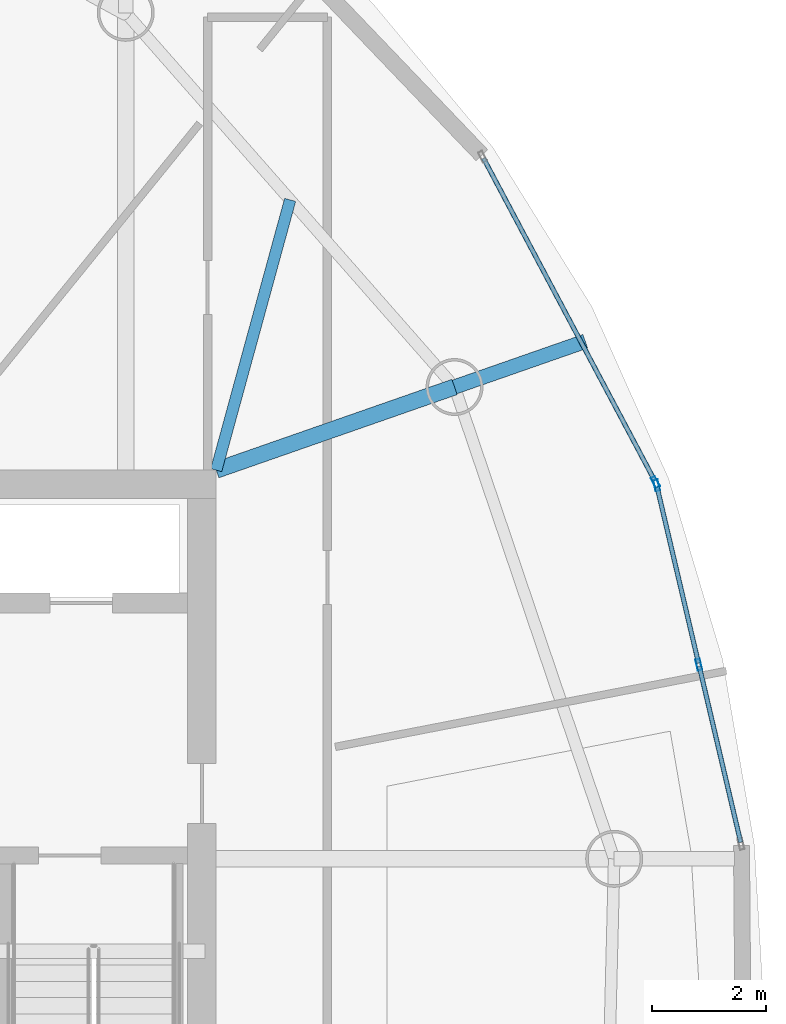
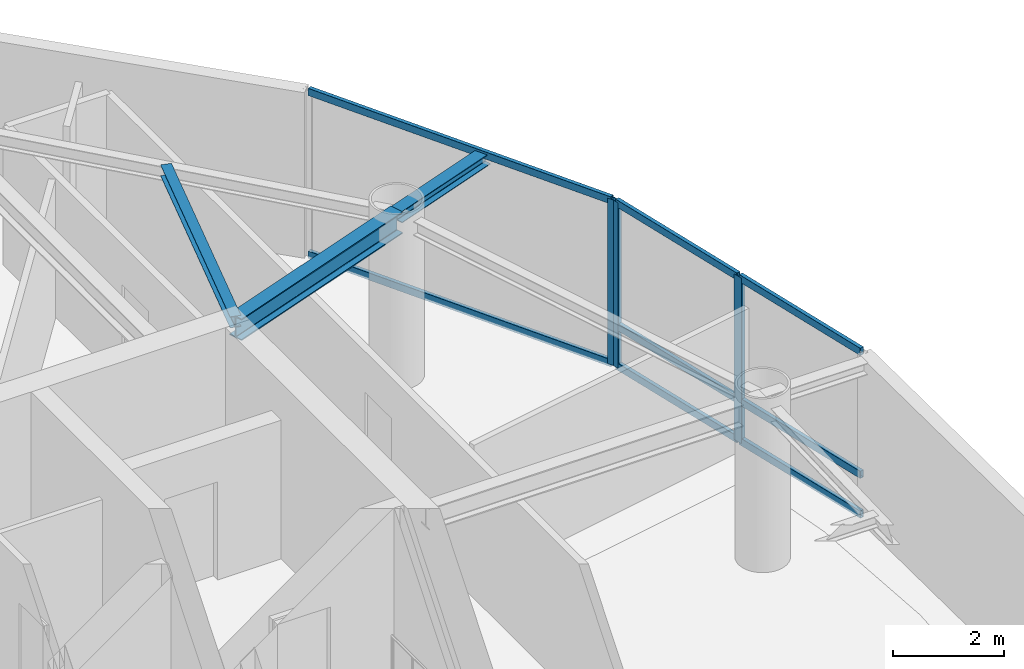
# One storey, part 10 of 21: 11 members, 3 beams, 2 elements without a shape of their own.
"""IFC4 building model written with IfcOpenShell, lengths in metres."""

from ifc_helpers import new_model, si_unit, direction, frame, origin, origin_2d, place, context, subcontext, project, spatial, hollow_rectangle, i_section, extrude, material, layer, layer_set, material_profile, profile_set, type_object, element, aggregate, save


model = new_model("IFC4")

# Units and contexts
model_context = context("Model", 3, precision=1e-05, world=origin(), true_north=direction((0.0, 1.0)))
body_context = subcontext(model_context, "Body", "Model", "MODEL_VIEW")
ifc_project = project(units=[si_unit("LENGTHUNIT", "METRE"), si_unit("AREAUNIT", "SQUARE_METRE"), si_unit("VOLUMEUNIT", "CUBIC_METRE"), si_unit("PLANEANGLEUNIT", "RADIAN"), si_unit("MASSUNIT", "GRAM", prefix="KILO")], contexts=[model_context])

# Site, building, storey
site_placement = place(None, origin())
site = spatial("IfcSite", under=ifc_project, at=site_placement, CompositionType="ELEMENT")
building_placement = place(site_placement, origin())
building = spatial("IfcBuilding", under=site, at=building_placement, Name="Bramvorn Convention Spire", CompositionType="ELEMENT")
storey_placement = place(building_placement, frame((0.0, 0.0, 249.75)))
storey = spatial("IfcBuildingStorey", under=building, at=storey_placement, Name="L63", CompositionType="ELEMENT", Elevation=249.75)

# Beams
ifc_material_1 = material(Name="Steel CSA G40.21 Grade 350 (350W)", Category="steel")
ifc_material_profile_1 = material_profile(ifc_material_1, i_section(OverallWidth=0.201904296875, OverallDepth=0.2470703125, WebThickness=0.00732421875, FlangeThickness=0.010986328125, FilletRadius=0.011962890625, at=origin_2d()))
ifc_profile_set_1 = profile_set([ifc_material_profile_1], Name="Steel CSA G40.21 Grade 350 (350W) - W250X49")
beam_type_1 = type_object("IfcBeamType", Name="BM-W250X49", PredefinedType="JOIST", material=ifc_profile_set_1)
beam_1_placement = place(storey_placement, frame((49.25, 33.449951171875, 3.50146484375), z_axis=(0.26386506219, 0.96455960363, 0.0), x_axis=(-0.96455960363, 0.26386506219, 0.0)))
element("IfcBeam", 1, at=beam_1_placement, inside=storey, type_object=beam_type_1, Name="L63 composite floor joist 05", PredefinedType="JOIST", context=body_context, shape_type="SweptSolid", body=[
    extrude(i_section(OverallWidth=0.201904296875, OverallDepth=0.2470703125, WebThickness=0.00732421875, FlangeThickness=0.010986328125, FilletRadius=0.011962890625, at=origin_2d()), origin(), (0.0, 0.0, 1.0), 4.917724609375),
])
ifc_material_profile_2 = material_profile(ifc_material_1, i_section(OverallWidth=0.25390625, OverallDepth=0.2529296875, WebThickness=0.008544921875, FlangeThickness=0.01416015625, FilletRadius=0.011962890625, at=origin_2d()))
ifc_profile_set_2 = profile_set([ifc_material_profile_2], Name="Steel CSA G40.21 Grade 350 (350W) - W250X73")
beam_type_2 = type_object("IfcBeamType", Name="BM-W250X73", PredefinedType="BEAM", material=ifc_profile_set_2)
beam_2_placement = place(storey_placement, frame((53.4326171875, 34.909912109375, 3.49853515625), z_axis=(0.944128962951, 0.329576245073, 0.0), x_axis=(-0.329576245073, 0.944128962951, 0.0)))
element("IfcBeam", 2, at=beam_2_placement, inside=storey, type_object=beam_type_2, Name="L63 slab-edge cantilever tip beam MC05", PredefinedType="BEAM", context=body_context, shape_type="SweptSolid", body=[
    extrude(i_section(OverallWidth=0.25390625, OverallDepth=0.2529296875, WebThickness=0.008544921875, FlangeThickness=0.01416015625, FilletRadius=0.011962890625, at=origin_2d()), origin(), (0.0, 0.0, 1.0), 2.430419921875),
])
ifc_material_profile_3 = material_profile(ifc_material_1, i_section(OverallWidth=0.283935546875, OverallDepth=0.47607421875, WebThickness=0.014892578125, FlangeThickness=0.02392578125, FilletRadius=0.01806640625, at=origin_2d()))
ifc_profile_set_3 = profile_set([ifc_material_profile_3], Name="Steel CSA G40.21 Grade 350 (350W) - W460X158")
beam_type_3 = type_object("IfcBeamType", Name="BM-W460X158", PredefinedType="SPANDREL", material=ifc_profile_set_3)
beam_3_placement = place(storey_placement, frame((49.25, 33.449951171875, 3.386962890625), z_axis=(0.944136391877, 0.329554962843, 0.0), x_axis=(-0.329554962843, 0.944136391877, 0.0)))
element("IfcBeam", 3, at=beam_3_placement, inside=storey, type_object=beam_type_3, Name="L63 radial floor girder MC05", PredefinedType="SPANDREL", context=body_context, shape_type="SweptSolid", body=[
    extrude(i_section(OverallWidth=0.283935546875, OverallDepth=0.47607421875, WebThickness=0.014892578125, FlangeThickness=0.02392578125, FilletRadius=0.01806640625, at=origin_2d()), origin(), (0.0, 0.0, 1.0), 4.43017578125),
])

# Curtain wall, members
ifc_material_2 = material(Name="Anodised Bronze Unitised Curtain Wall", Category="aluminium")
ifc_layer = layer(ifc_material_2, 0.179931640625)
ifc_layer_set = layer_set([ifc_layer], Name="Anodised Bronze Unitised Curtain Wall - CW-OFF-FRIT")
curtain_wall_type = type_object("IfcCurtainWallType", Name="CW-OFF-FRIT", PredefinedType="USERDEFINED", material=ifc_layer_set)
curtain_wall_1_placement = place(storey_placement, origin())
curtain_wall_1 = element("IfcCurtainWall", 4, at=curtain_wall_1_placement, inside=storey, type_object=curtain_wall_type, Name="L63 fritted glass curtain wall 05", ObjectType="UNITISED CURTAIN WALL", PredefinedType="USERDEFINED")
ifc_material_3 = material(Name="Anodised Bronze Aluminium 6063-T6", Category="aluminium")
ifc_material_profile_4 = material_profile(ifc_material_3, hollow_rectangle(XDim=0.080078125, YDim=0.199951171875, WallThickness=0.00390625, InnerFilletRadius=0.0009765625, OuterFilletRadius=0.00390625, at=origin_2d()))
ifc_profile_set_4 = profile_set([ifc_material_profile_4], Name="Anodised Bronze Aluminium 6063-T6 - CWM80X200")
member_type_1 = type_object("IfcMemberType", Name="CW-MUL-180", PredefinedType="MULLION", material=ifc_profile_set_4)
member_1_placement = place(storey_placement, frame((56.980224609375, 33.18408203125, 0.0), z_axis=(0.0, 0.0, 1.0), x_axis=(0.973407923513, 0.229078620658, 0.0)))
member_1 = element("IfcMember", 5, at=member_1_placement, type_object=member_type_1, Name="CW3 mullion 1", PredefinedType="MULLION", context=body_context, shape_type="SweptSolid", body=[
    extrude(hollow_rectangle(XDim=0.080078125, YDim=0.199951171875, WallThickness=0.00390625, InnerFilletRadius=0.0009765625, OuterFilletRadius=0.00390625, at=origin_2d()), origin(), (0.0, 0.0, 1.0), 3.625),
])
member_2_placement = place(storey_placement, frame((57.720703125, 30.036865234375, 0.0), z_axis=(0.0, 0.0, 1.0), x_axis=(0.973407923513, 0.229078620658, 0.0)))
member_2 = element("IfcMember", 6, at=member_2_placement, type_object=member_type_1, Name="CW3 mullion 2", PredefinedType="MULLION", context=body_context, shape_type="SweptSolid", body=[
    extrude(hollow_rectangle(XDim=0.080078125, YDim=0.199951171875, WallThickness=0.00390625, InnerFilletRadius=0.0009765625, OuterFilletRadius=0.00390625, at=origin_2d()), origin(), (0.0, 0.0, 1.0), 3.625),
])

# Curtain wall, member
curtain_wall_2_placement = place(storey_placement, origin())
curtain_wall_2 = element("IfcCurtainWall", 7, at=curtain_wall_2_placement, inside=storey, type_object=curtain_wall_type, Name="L63 fritted glass curtain wall 06", ObjectType="UNITISED CURTAIN WALL", PredefinedType="USERDEFINED")
member_3_placement = place(storey_placement, frame((56.959228515625, 33.23974609375, 0.0), z_axis=(0.0, 0.0, 1.0), x_axis=(0.883204373581, 0.468988309542, 0.0)))
member_3 = element("IfcMember", 8, at=member_3_placement, type_object=member_type_1, Name="CW3 mullion 2", PredefinedType="MULLION", context=body_context, shape_type="SweptSolid", body=[
    extrude(hollow_rectangle(XDim=0.080078125, YDim=0.199951171875, WallThickness=0.00390625, InnerFilletRadius=0.0009765625, OuterFilletRadius=0.00390625, at=origin_2d()), origin(), (0.0, 0.0, 1.0), 3.625),
])

# Member
ifc_material_profile_5 = material_profile(ifc_material_3, hollow_rectangle(XDim=0.080078125, YDim=0.159912109375, WallThickness=0.00390625, InnerFilletRadius=0.0009765625, OuterFilletRadius=0.00390625, at=origin_2d()))
ifc_profile_set_5 = profile_set([ifc_material_profile_5], Name="Anodised Bronze Aluminium 6063-T6 - CWT80X160")
member_type_2 = type_object("IfcMemberType", Name="CW-TRN-150", PredefinedType="USERDEFINED", material=ifc_profile_set_5)
member_4_placement = place(storey_placement, frame((56.987060546875, 33.15478515625, 0.030029296875), z_axis=(0.229060776938, -0.973412122622, 0.0), x_axis=(0.973412122622, 0.229060776938, 0.0)))
member_4 = element("IfcMember", 9, at=member_4_placement, type_object=member_type_2, Name="CW3 transom 1.1", ObjectType="TRANSOM", PredefinedType="USERDEFINED", context=body_context, shape_type="SweptSolid", body=[
    extrude(hollow_rectangle(XDim=0.080078125, YDim=0.159912109375, WallThickness=0.00390625, InnerFilletRadius=0.0009765625, OuterFilletRadius=0.00390625, at=origin_2d()), origin(), (0.0, 0.0, 1.0), 3.173095703125),
])

member_5_placement = place(storey_placement, frame((56.987060546875, 33.15478515625, 0.89990234375), z_axis=(0.229060776938, -0.973412122622, 0.0), x_axis=(0.973412122622, 0.229060776938, 0.0)))
member_5 = element("IfcMember", 10, at=member_5_placement, type_object=member_type_2, Name="CW3 transom 1.2", ObjectType="TRANSOM", PredefinedType="USERDEFINED", context=body_context, shape_type="SweptSolid", body=[
    extrude(hollow_rectangle(XDim=0.080078125, YDim=0.159912109375, WallThickness=0.00390625, InnerFilletRadius=0.0009765625, OuterFilletRadius=0.00390625, at=origin_2d()), origin(), (0.0, 0.0, 1.0), 3.173095703125),
])

member_6_placement = place(storey_placement, frame((56.987060546875, 33.15478515625, 3.594970703125), z_axis=(0.229060776938, -0.973412122622, 0.0), x_axis=(0.973412122622, 0.229060776938, 0.0)))
member_6 = element("IfcMember", 11, at=member_6_placement, type_object=member_type_2, Name="CW3 transom 1.3", ObjectType="TRANSOM", PredefinedType="USERDEFINED", context=body_context, shape_type="SweptSolid", body=[
    extrude(hollow_rectangle(XDim=0.080078125, YDim=0.159912109375, WallThickness=0.00390625, InnerFilletRadius=0.0009765625, OuterFilletRadius=0.00390625, at=origin_2d()), origin(), (0.0, 0.0, 1.0), 3.173095703125),
])

member_7_placement = place(storey_placement, frame((57.727783203125, 30.0078125, 0.030029296875), z_axis=(0.229043622056, -0.973416159305, 0.0), x_axis=(0.973416159305, 0.229043622056, 0.0)))
member_7 = element("IfcMember", 12, at=member_7_placement, type_object=member_type_2, Name="CW3 transom 2.1", ObjectType="TRANSOM", PredefinedType="USERDEFINED", context=body_context, shape_type="SweptSolid", body=[
    extrude(hollow_rectangle(XDim=0.080078125, YDim=0.159912109375, WallThickness=0.00390625, InnerFilletRadius=0.0009765625, OuterFilletRadius=0.00390625, at=origin_2d()), origin(), (0.0, 0.0, 1.0), 3.17333984375),
])

member_8_placement = place(storey_placement, frame((57.727783203125, 30.0078125, 0.89990234375), z_axis=(0.229043622056, -0.973416159305, 0.0), x_axis=(0.973416159305, 0.229043622056, 0.0)))
member_8 = element("IfcMember", 13, at=member_8_placement, type_object=member_type_2, Name="CW3 transom 2.2", ObjectType="TRANSOM", PredefinedType="USERDEFINED", context=body_context, shape_type="SweptSolid", body=[
    extrude(hollow_rectangle(XDim=0.080078125, YDim=0.159912109375, WallThickness=0.00390625, InnerFilletRadius=0.0009765625, OuterFilletRadius=0.00390625, at=origin_2d()), origin(), (0.0, 0.0, 1.0), 3.17333984375),
])

member_9_placement = place(storey_placement, frame((57.727783203125, 30.0078125, 3.594970703125), z_axis=(0.229043622056, -0.973416159305, 0.0), x_axis=(0.973416159305, 0.229043622056, 0.0)))
member_9 = element("IfcMember", 14, at=member_9_placement, type_object=member_type_2, Name="CW3 transom 2.3", ObjectType="TRANSOM", PredefinedType="USERDEFINED", context=body_context, shape_type="SweptSolid", body=[
    extrude(hollow_rectangle(XDim=0.080078125, YDim=0.159912109375, WallThickness=0.00390625, InnerFilletRadius=0.0009765625, OuterFilletRadius=0.00390625, at=origin_2d()), origin(), (0.0, 0.0, 1.0), 3.17333984375),
])

aggregate(curtain_wall_1, [member_1, member_2, member_4, member_5, member_6, member_7, member_8, member_9])

member_10_placement = place(storey_placement, frame((53.9404296875, 38.9248046875, 0.030029296875), z_axis=(0.468967617777, -0.883215360757, 0.0), x_axis=(0.883215360757, 0.468967617777, 0.0)))
member_10 = element("IfcMember", 15, at=member_10_placement, type_object=member_type_2, Name="CW3 transom 1.1", ObjectType="TRANSOM", PredefinedType="USERDEFINED", context=body_context, shape_type="SweptSolid", body=[
    extrude(hollow_rectangle(XDim=0.080078125, YDim=0.159912109375, WallThickness=0.00390625, InnerFilletRadius=0.0009765625, OuterFilletRadius=0.00390625, at=origin_2d()), origin(), (0.0, 0.0, 1.0), 6.406982421875),
])

member_11_placement = place(storey_placement, frame((53.9404296875, 38.9248046875, 3.594970703125), z_axis=(0.468967617777, -0.883215360757, 0.0), x_axis=(0.883215360757, 0.468967617777, 0.0)))
member_11 = element("IfcMember", 16, at=member_11_placement, type_object=member_type_2, Name="CW3 transom 1.2", ObjectType="TRANSOM", PredefinedType="USERDEFINED", context=body_context, shape_type="SweptSolid", body=[
    extrude(hollow_rectangle(XDim=0.080078125, YDim=0.159912109375, WallThickness=0.00390625, InnerFilletRadius=0.0009765625, OuterFilletRadius=0.00390625, at=origin_2d()), origin(), (0.0, 0.0, 1.0), 6.406982421875),
])

aggregate(curtain_wall_2, [member_3, member_10, member_11])

save(model, "model.ifc")
